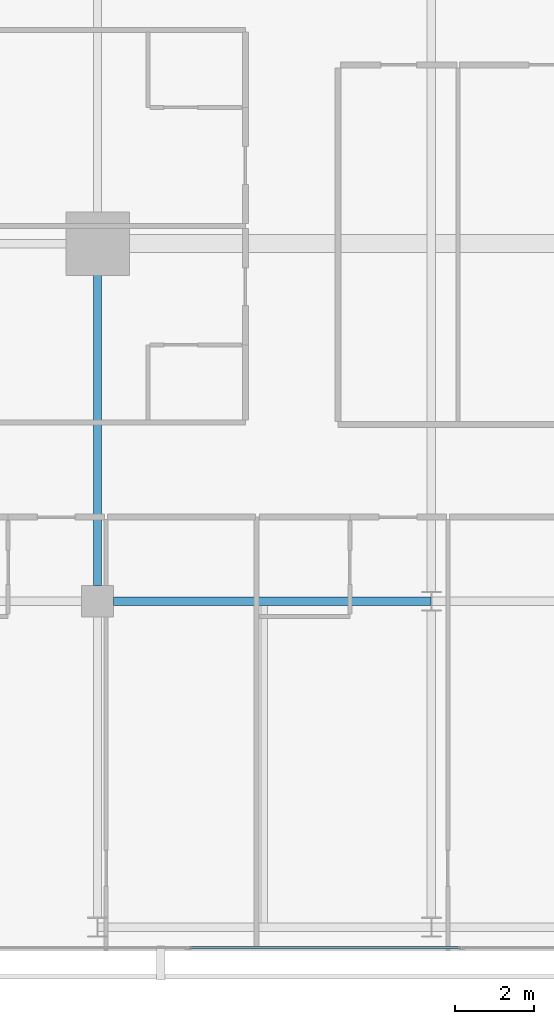
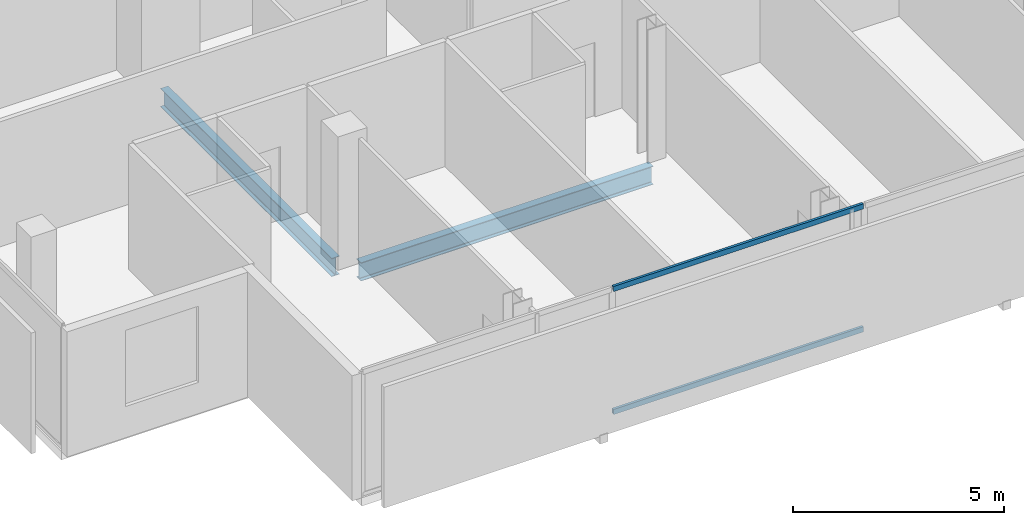
# One storey, part 5 of 25: 2 beams, 2 members, 1 element without a shape of its own.
"""IFC4 building model written with IfcOpenShell, lengths in metres."""

from ifc_helpers import new_model, si_unit, direction, frame, origin, origin_2d, place, context, subcontext, project, spatial, hollow_rectangle, i_section, extrude, material, layer, layer_set, material_profile, profile_set, type_object, element, aggregate, save


model = new_model("IFC4")

# Units and contexts
model_context = context("Model", 3, precision=1e-05, world=origin(), true_north=direction((0.0, 1.0)))
body_context = subcontext(model_context, "Body", "Model", "MODEL_VIEW")
ifc_project = project(units=[si_unit("LENGTHUNIT", "METRE"), si_unit("AREAUNIT", "SQUARE_METRE"), si_unit("VOLUMEUNIT", "CUBIC_METRE"), si_unit("PLANEANGLEUNIT", "RADIAN"), si_unit("MASSUNIT", "GRAM", prefix="KILO")], contexts=[model_context])

# Site, building, storey
site_placement = place(None, origin())
site = spatial("IfcSite", under=ifc_project, at=site_placement, CompositionType="ELEMENT")
building_placement = place(site_placement, origin())
building = spatial("IfcBuilding", under=site, at=building_placement, Name="Maruvema Waterfront Hotel and Observation Tower", CompositionType="ELEMENT")
storey_placement = place(building_placement, frame((0.0, 0.0, 250.949951171875)))
storey = spatial("IfcBuildingStorey", under=building, at=storey_placement, Name="L61", CompositionType="ELEMENT", Elevation=250.949951171875)

# Curtain wall, members
ifc_material_1 = material(Name="Anodised bronze aluminium and solar-control low-E IGU", Category="aluminium")
ifc_layer = layer(ifc_material_1, 0.159912109375, Name="Zone 3 Champagne Inner Thermal Curtain Wall System CW-04")
ifc_layer_set = layer_set([ifc_layer], Name="Anodised bronze aluminium and solar-control low-E IGU")
curtain_wall_type = type_object("IfcCurtainWallType", Name="Zone 3 Champagne Inner Thermal Curtain Wall System CW-04", PredefinedType="USERDEFINED", material=ifc_layer_set)
curtain_wall_placement = place(storey_placement, origin())
curtain_wall = element("IfcCurtainWall", 1, at=curtain_wall_placement, inside=storey, type_object=curtain_wall_type, Name="L61 Curtain Wall CW-L61-S", ObjectType="UNITISED CURTAIN WALL", PredefinedType="USERDEFINED")
ifc_material_2 = material(Name="Anodised architectural bronze aluminium", Category="aluminium")
ifc_material_profile_1 = material_profile(ifc_material_2, hollow_rectangle(XDim=0.070068359375, YDim=0.14990234375, WallThickness=0.00390625, at=origin_2d()), Name="ALU-T70x150")
ifc_profile_set_1 = profile_set([ifc_material_profile_1], Name="Anodised architectural bronze aluminium")
member_type = type_object("IfcMemberType", Name="Curtain Wall Horizontal Transom ALU-T70x150", PredefinedType="USERDEFINED", material=ifc_profile_set_1)
member_1_placement = place(storey_placement, frame((27.510009765625, 9.280029296875, 0.030029296875), z_axis=(1.0, 0.0, 0.0), x_axis=(0.0, 1.0, 0.0)))
member_1 = element("IfcMember", 2, at=member_1_placement, type_object=member_type, Name="CW-04 transom 2.1", ObjectType="TRANSOM", PredefinedType="USERDEFINED", context=body_context, shape_type="SweptSolid", body=[
    extrude(hollow_rectangle(XDim=0.070068359375, YDim=0.14990234375, WallThickness=0.00390625, at=origin_2d()), origin(), (0.0, 0.0, 1.0), 6.820068359375),
])
member_2_placement = place(storey_placement, frame((27.510009765625, 9.280029296875, 3.580078125), z_axis=(1.0, 0.0, 0.0), x_axis=(0.0, 1.0, 0.0)))
member_2 = element("IfcMember", 3, at=member_2_placement, type_object=member_type, Name="CW-04 transom 2.2", ObjectType="TRANSOM", PredefinedType="USERDEFINED", context=body_context, shape_type="SweptSolid", body=[
    extrude(hollow_rectangle(XDim=0.070068359375, YDim=0.14990234375, WallThickness=0.00390625, at=origin_2d()), origin(), (0.0, 0.0, 1.0), 6.820068359375),
])
aggregate(curtain_wall, [member_1, member_2])

# Beams
ifc_material_3 = material(Name="Steel ASTM A572 Grade 50", Category="steel")
ifc_material_profile_2 = material_profile(ifc_material_3, i_section(OverallWidth=0.208984375, OverallDepth=0.532958984375, WebThickness=0.01025390625, FlangeThickness=0.015625, FilletRadius=0.014892578125, at=origin_2d()), Name="W530x92.0")
ifc_profile_set_2 = profile_set([ifc_material_profile_2], Name="Steel ASTM A572 Grade 50")
beam_type = type_object("IfcBeamType", Name="Primary Floor Girder W530x92.0", PredefinedType="BEAM", material=ifc_profile_set_2)
beam_1_placement = place(storey_placement, frame((25.60009765625, 18.0, -0.50634765625), z_axis=(1.0, 0.0, 0.0), x_axis=(0.0, 1.0, 0.0)))
element("IfcBeam", 4, at=beam_1_placement, inside=storey, type_object=beam_type, Name="L61 Floor Girder EW-05", PredefinedType="BEAM", context=body_context, shape_type="SweptSolid", body=[
    extrude(i_section(OverallWidth=0.208984375, OverallDepth=0.532958984375, WebThickness=0.01025390625, FlangeThickness=0.015625, FilletRadius=0.014892578125, at=origin_2d()), origin(), (0.0, 0.0, 1.0), 7.989013671875),
])
beam_2_placement = place(storey_placement, frame((25.199951171875, 18.39990234375, -0.50634765625), z_axis=(0.0, 1.0, 0.0), x_axis=(-1.0, 0.0, 0.0)))
element("IfcBeam", 5, at=beam_2_placement, inside=storey, type_object=beam_type, Name="L61 Floor Girder NS-05", PredefinedType="BEAM", context=body_context, shape_type="SweptSolid", body=[
    extrude(i_section(OverallWidth=0.208984375, OverallDepth=0.532958984375, WebThickness=0.01025390625, FlangeThickness=0.015625, FilletRadius=0.014892578125, at=origin_2d()), origin(), (0.0, 0.0, 1.0), 8.10009765625),
])

save(model, "model.ifc")
